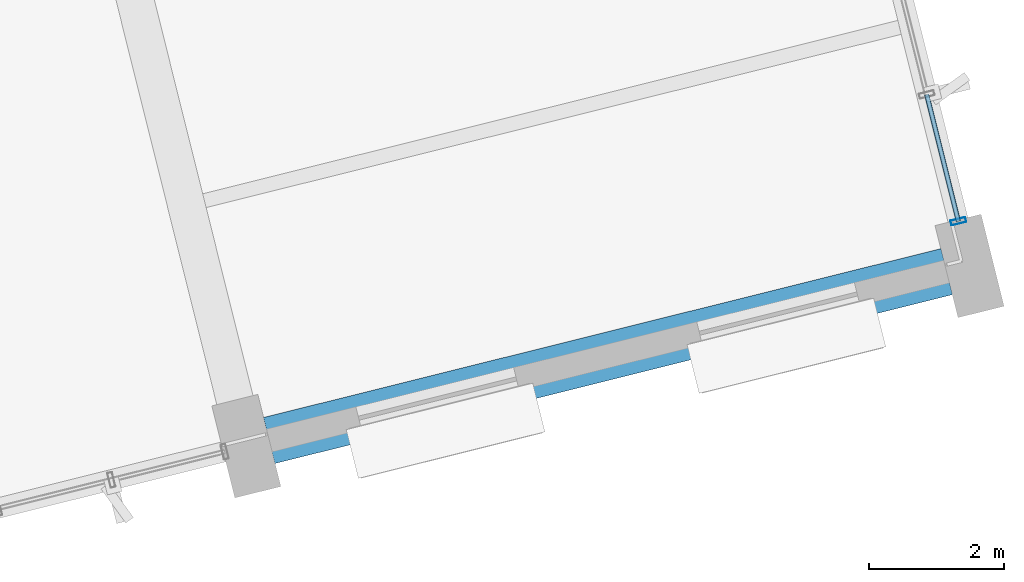
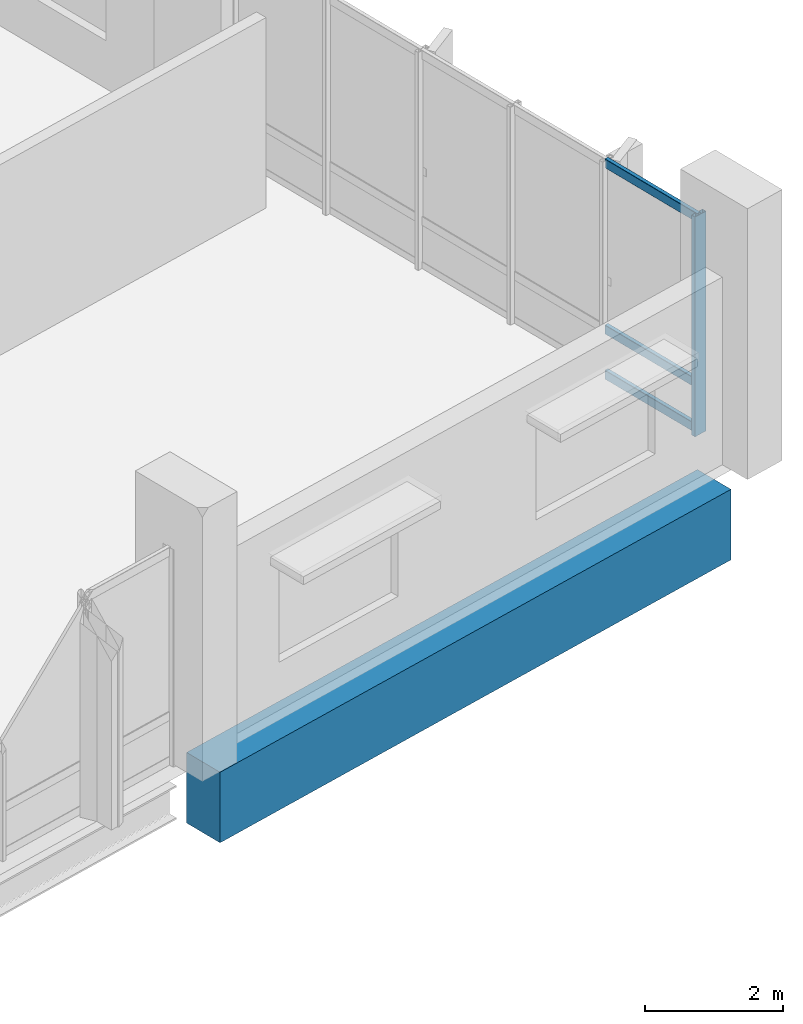
# One storey, part 77 of 137: 4 members, 1 beam, 1 element without a shape of its own.
"""IFC4 building model written with IfcOpenShell, lengths in metres."""

from ifc_helpers import new_model, si_unit, direction, frame, origin, origin_2d, place, context, subcontext, project, spatial, rectangle, hollow_rectangle, extrude, material, layer, layer_set, material_profile, profile_set, type_object, element, aggregate, save


model = new_model("IFC4")

# Units and contexts
model_context = context("Model", 3, precision=1e-05, world=origin(), true_north=direction((0.0, 1.0)))
body_context = subcontext(model_context, "Body", "Model", "MODEL_VIEW")
ifc_project = project(units=[si_unit("LENGTHUNIT", "METRE"), si_unit("AREAUNIT", "SQUARE_METRE"), si_unit("VOLUMEUNIT", "CUBIC_METRE"), si_unit("PLANEANGLEUNIT", "RADIAN"), si_unit("MASSUNIT", "GRAM", prefix="KILO")], contexts=[model_context])

# Site, building, storey
site_placement = place(None, origin())
site = spatial("IfcSite", under=ifc_project, at=site_placement, CompositionType="ELEMENT")
building_placement = place(site_placement, origin())
building = spatial("IfcBuilding", under=site, at=building_placement, Name="Khorjan Park Terminus", CompositionType="ELEMENT")
storey_placement = place(building_placement, frame((0.0, 0.0, 11.4)))
storey = spatial("IfcBuildingStorey", under=building, at=storey_placement, Name="L02", CompositionType="ELEMENT", Elevation=11.4)

# Beam
ifc_material_1 = material(Name="Concrete C40/50", Category="concrete")
ifc_material_profile_1 = material_profile(ifc_material_1, rectangle(XDim=0.7, YDim=1.25, at=origin_2d()), Name="RC 700x1250")
ifc_profile_set_1 = profile_set([ifc_material_profile_1], Name="Concrete C40/50")
beam_type = type_object("IfcBeamType", Name="BM-RC700x1250", PredefinedType="BEAM", material=ifc_profile_set_1)
beam_placement = place(storey_placement, frame((219.701, 15.3892, -0.975), z_axis=(0.970296351811, 0.241919386702, 0.0), x_axis=(-0.241919386702, 0.970296351811, 0.0)))
element("IfcBeam", 1, at=beam_placement, inside=storey, type_object=beam_type, Name="Primary skew-grid floor girder GB-125 (L02)", PredefinedType="BEAM", context=body_context, shape_type="SweptSolid", body=[
    extrude(rectangle(XDim=0.7, YDim=1.25, at=origin_2d()), origin(), (0.0, 0.0, 1.0), 10.31),
])

# Curtain wall, members
ifc_material_2 = material(Name="Anodized Bronze Aluminium", Category="aluminium")
ifc_layer = layer(ifc_material_2, 0.22)
ifc_layer_set = layer_set([ifc_layer], Name="Anodized Bronze Aluminium")
curtain_wall_type = type_object("IfcCurtainWallType", Name="CW-OPS-B", PredefinedType="NOTDEFINED", material=ifc_layer_set)
curtain_wall_placement = place(storey_placement, origin())
curtain_wall = element("IfcCurtainWall", 2, at=curtain_wall_placement, inside=storey, type_object=curtain_wall_type, Name="Unitized curtain wall CW-B (CW-V5-E-L02-B01)", PredefinedType="NOTDEFINED")
ifc_material_profile_2 = material_profile(ifc_material_2, hollow_rectangle(XDim=0.075, YDim=0.225, WallThickness=0.005, InnerFilletRadius=0.005, OuterFilletRadius=0.01, at=origin_2d()), Name="ALM 75x225x5")
ifc_profile_set_2 = profile_set([ifc_material_profile_2], Name="Anodized Bronze Aluminium")
member_type_1 = type_object("IfcMemberType", Name="ML-ALM-225", PredefinedType="MULLION", material=ifc_profile_set_2)
member_1_placement = place(storey_placement, frame((229.875, 18.6267, -0.035), z_axis=(0.0, 0.0, 1.0), x_axis=(-0.241920488516, 0.9702960771, 0.0)))
member_1 = element("IfcMember", 3, at=member_1_placement, type_object=member_type_1, Name="Curtain-wall mullion ML-22 (CW-V5-E-L02-B01-0)", PredefinedType="MULLION", context=body_context, shape_type="SweptSolid", body=[
    extrude(hollow_rectangle(XDim=0.075, YDim=0.225, WallThickness=0.005, InnerFilletRadius=0.005, OuterFilletRadius=0.01, at=origin_2d()), origin(), (0.0, 0.0, 1.0), 3.895),
])
ifc_material_profile_3 = material_profile(ifc_material_2, hollow_rectangle(XDim=0.07, YDim=0.16, WallThickness=0.004, InnerFilletRadius=0.004, OuterFilletRadius=0.008, at=origin_2d()), Name="ALT 70x160x4")
ifc_profile_set_3 = profile_set([ifc_material_profile_3], Name="Anodized Bronze Aluminium")
member_type_2 = type_object("IfcMemberType", Name="TR-ALT-160", PredefinedType="USERDEFINED", material=ifc_profile_set_3)
member_2_placement = place(storey_placement, frame((229.875, 18.6267, 0.04), z_axis=(-0.241913157049, 0.970297905, 0.0), x_axis=(-0.970297905, -0.241913157049, 0.0)))
member_2 = element("IfcMember", 4, at=member_2_placement, type_object=member_type_2, Name="Curtain-wall transom TR-16 (CW-V5-E-L02-B01-0-1)", ObjectType="TRANSOM", PredefinedType="USERDEFINED", context=body_context, shape_type="SweptSolid", body=[
    extrude(hollow_rectangle(XDim=0.07, YDim=0.16, WallThickness=0.004, InnerFilletRadius=0.004, OuterFilletRadius=0.008, at=origin_2d()), origin(), (0.0, 0.0, 1.0), 1.928),
])
member_3_placement = place(storey_placement, frame((229.875, 18.6267, 0.841), z_axis=(-0.241913157049, 0.970297905, 0.0), x_axis=(-0.970297905, -0.241913157049, 0.0)))
member_3 = element("IfcMember", 5, at=member_3_placement, type_object=member_type_2, Name="Curtain-wall transom TR-16 (CW-V5-E-L02-B01-0-2)", ObjectType="TRANSOM", PredefinedType="USERDEFINED", context=body_context, shape_type="SweptSolid", body=[
    extrude(hollow_rectangle(XDim=0.07, YDim=0.16, WallThickness=0.004, InnerFilletRadius=0.004, OuterFilletRadius=0.008, at=origin_2d()), origin(), (0.0, 0.0, 1.0), 1.928),
])
member_4_placement = place(storey_placement, frame((229.875, 18.6267, 3.785), z_axis=(-0.241913157049, 0.970297905, 0.0), x_axis=(-0.970297905, -0.241913157049, 0.0)))
member_4 = element("IfcMember", 6, at=member_4_placement, type_object=member_type_2, Name="Curtain-wall transom TR-16 (CW-V5-E-L02-B01-0-3)", ObjectType="TRANSOM", PredefinedType="USERDEFINED", context=body_context, shape_type="SweptSolid", body=[
    extrude(hollow_rectangle(XDim=0.07, YDim=0.16, WallThickness=0.004, InnerFilletRadius=0.004, OuterFilletRadius=0.008, at=origin_2d()), origin(), (0.0, 0.0, 1.0), 1.928),
])
aggregate(curtain_wall, [member_1, member_2, member_3, member_4])

save(model, "model.ifc")
